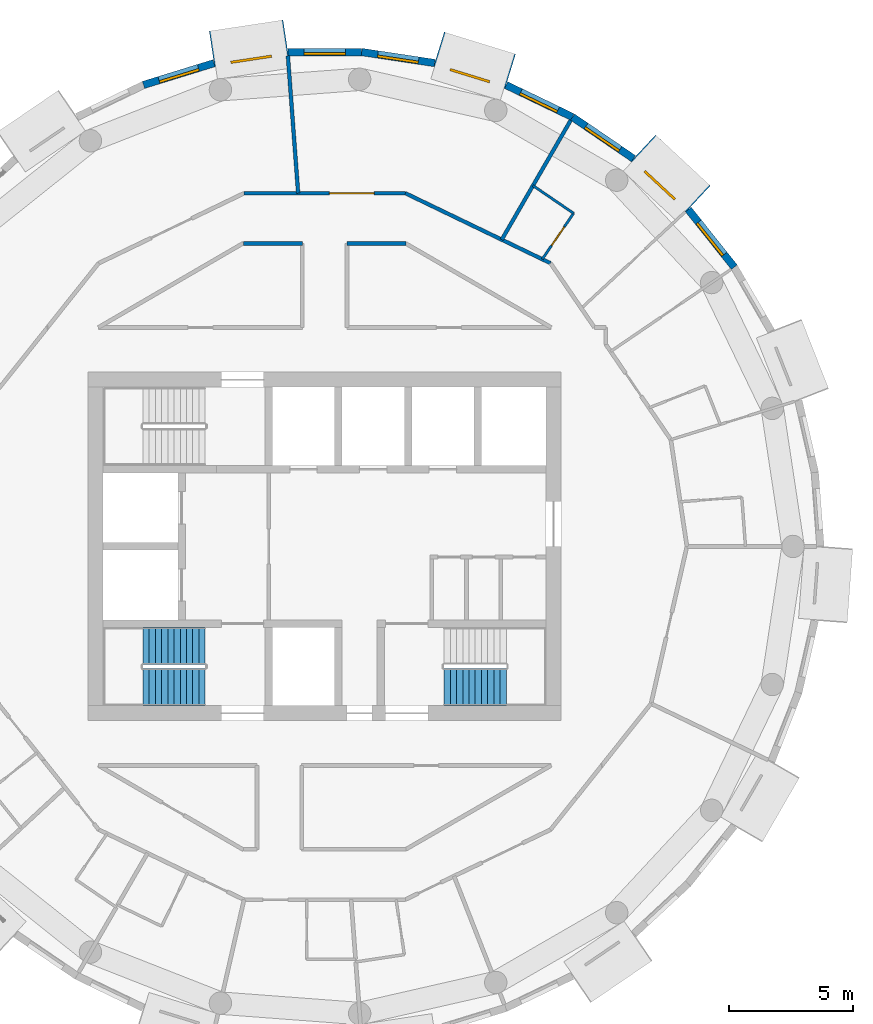
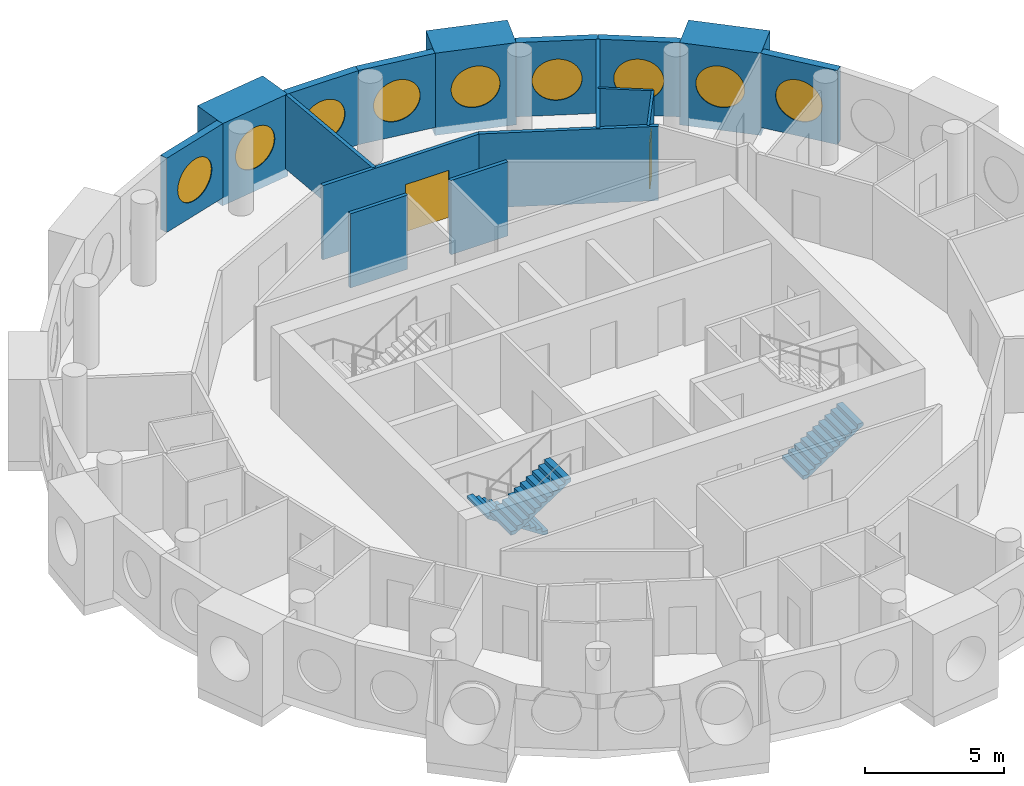
# One storey, part 10 of 12: 17 walls, 9 windows, 3 stair flights, 2 doors, 11 openings, 2 elements without a shape of their own.
"""IFC4 building model written with IfcOpenShell, lengths in metres."""

from ifc_helpers import new_model, si_unit, direction, frame, frame_2d, origin, origin_2d, place, context, subcontext, project, spatial, polyline, rectangle, circle, outline, extrude, material, layer, layer_set, type_object, element, fill, aggregate, save


model = new_model("IFC4")

# Units and contexts
model_context = context("Model", 3, precision=1e-05, world=origin(), true_north=direction((0.0, 1.0)))
body_context = subcontext(model_context, "Body", "Model", "MODEL_VIEW")
ifc_project = project(units=[si_unit("LENGTHUNIT", "METRE"), si_unit("AREAUNIT", "SQUARE_METRE"), si_unit("VOLUMEUNIT", "CUBIC_METRE"), si_unit("PLANEANGLEUNIT", "RADIAN"), si_unit("MASSUNIT", "GRAM", prefix="KILO")], contexts=[model_context])

# Site, building, storey
site_placement = place(None, origin())
site = spatial("IfcSite", under=ifc_project, at=site_placement, CompositionType="ELEMENT")
building_placement = place(site_placement, origin())
building = spatial("IfcBuilding", under=site, at=building_placement, Name="Tracery Tower", CompositionType="ELEMENT")
storey_placement = place(building_placement, frame((0.0, 0.0, 291.0)))
storey = spatial("IfcBuildingStorey", under=building, at=storey_placement, Name="L75", CompositionType="ELEMENT", Elevation=291.0)

# Wall, opening, window
ifc_material_1 = material(Name="Precast concrete C50/60", Category="concrete")
ifc_layer_1 = layer(ifc_material_1, 1.449951171875)
ifc_layer_set_1 = layer_set([ifc_layer_1], Name="Deep-set bay unit 3000 x 3600, slab edge 350")
wall_type_1 = type_object("IfcWallType", Name="Deep-set bay unit 3000 x 3600, slab edge 350", PredefinedType="ELEMENTEDWALL", material=ifc_layer_set_1)
wall_1_placement = place(storey_placement, frame((15.0029296875, 13.964111328125, -0.35009765625), z_axis=(0.0, 0.0, 1.0), x_axis=(-0.733022439167, 0.680204457261, 0.0)))
wall_1 = element("IfcWall", 1, at=wall_1_placement, inside=storey, type_object=wall_type_1, Name="Deep-set bay unit 6 at L75", PredefinedType="ELEMENTEDWALL", context=body_context, shape_type="SweptSolid", body=[
    extrude(rectangle(XDim=2.999755859375, YDim=1.449951171875, at=frame_2d((1.5, 0.0))), origin(), (0.0, 0.0, 1.0), 3.60009765625),
])
opening_1_placement = place(wall_1_placement, frame((1.5, 0.0, 1.89990234375)))
opening_1 = element("IfcOpeningElement", 2, at=opening_1_placement, cuts=wall_1, Name="Opening WN1", PredefinedType="OPENING", context=body_context, shape_type="SweptSolid", body=[
    extrude(circle(Radius=0.9000244140625, at=origin_2d()), frame((0.0, 0.73486328125, 0.0), z_axis=(0.0, -1.0, 0.0), x_axis=(1.0, 0.0, 0.0)), (0.0, 0.0, 1.0), 1.469970703125),
])
ifc_material_2 = material(Name="Aluminium frame with tinted double glazing", Category="aluminium")
window_type = type_object("IfcWindowType", Name="Round window 1800", PartitioningType="SINGLE_PANEL", PredefinedType="WINDOW", material=ifc_material_2)
window_1_placement = place(opening_1_placement, origin())
window_1 = element("IfcWindow", 3, at=window_1_placement, inside=storey, type_object=window_type, Name="Round window 6 at L75", OverallHeight=1.800048828125, OverallWidth=1.800048828125, PartitioningType="SINGLE_PANEL", PredefinedType="WINDOW", context=body_context, shape_type="SweptSolid", body=[
    extrude(circle(Radius=0.9000244140625, at=origin_2d()), frame((0.0, 0.69482421875, 0.0), z_axis=(0.0, -1.0, 0.0), x_axis=(1.0, 0.0, 0.0)), (0.0, 0.0, 1.0), 0.10009765625),
])
fill(opening_1, window_1)

wall_2_placement = place(storey_placement, frame((7.45849609375, 19.0908203125, -0.35009765625), z_axis=(0.0, 0.0, 1.0), x_axis=(-0.955571139978, 0.294760574774, 0.0)))
wall_2 = element("IfcWall", 4, at=wall_2_placement, inside=storey, type_object=wall_type_1, Name="Deep-set bay unit 9 at L75", PredefinedType="ELEMENTEDWALL", context=body_context, shape_type="SweptSolid", body=[
    extrude(rectangle(XDim=3.0, YDim=1.449951171875, at=frame_2d((1.5, 0.0))), origin(), (0.0, 0.0, 1.0), 3.60009765625),
])
opening_2_placement = place(wall_2_placement, frame((1.5, 0.0, 1.89990234375)))
opening_2 = element("IfcOpeningElement", 5, at=opening_2_placement, cuts=wall_2, Name="Opening WN1", PredefinedType="OPENING", context=body_context, shape_type="SweptSolid", body=[
    extrude(circle(Radius=0.9000244140625, at=origin_2d()), frame((0.0, 0.73486328125, 0.0), z_axis=(0.0, -1.0, 0.0), x_axis=(1.0, 0.0, 0.0)), (0.0, 0.0, 1.0), 1.469970703125),
])
window_2_placement = place(opening_2_placement, origin())
window_2 = element("IfcWindow", 6, at=window_2_placement, inside=storey, type_object=window_type, Name="Round window 9 at L75", OverallHeight=1.800048828125, OverallWidth=1.800048828125, PartitioningType="SINGLE_PANEL", PredefinedType="WINDOW", context=body_context, shape_type="SweptSolid", body=[
    extrude(circle(Radius=0.9000244140625, at=origin_2d()), frame((0.0, 0.69482421875, 0.0), z_axis=(0.0, -1.0, 0.0), x_axis=(1.0, 0.0, 0.0)), (0.0, 0.0, 1.0), 0.10009765625),
])
fill(opening_2, window_2)

wall_3_placement = place(storey_placement, frame((-1.563232421875, 20.436279296875, -0.35009765625), z_axis=(0.0, 0.0, 1.0), x_axis=(-0.988836445254, -0.149004981587, 0.0)))
wall_3 = element("IfcWall", 7, at=wall_3_placement, inside=storey, type_object=wall_type_1, Name="Deep-set bay unit 12 at L75", PredefinedType="ELEMENTEDWALL", context=body_context, shape_type="SweptSolid", body=[
    extrude(rectangle(XDim=3.0, YDim=1.449951171875, at=frame_2d((1.5, 0.0))), origin(), (0.0, 0.0, 1.0), 3.60009765625),
])
opening_3_placement = place(wall_3_placement, frame((1.5, 0.0, 1.89990234375)))
opening_3 = element("IfcOpeningElement", 8, at=opening_3_placement, cuts=wall_3, Name="Opening WN1", PredefinedType="OPENING", context=body_context, shape_type="SweptSolid", body=[
    extrude(circle(Radius=0.9000244140625, at=origin_2d()), frame((0.0, 0.73486328125, 0.0), z_axis=(0.0, -1.0, 0.0), x_axis=(1.0, 0.0, 0.0)), (0.0, 0.0, 1.0), 1.469970703125),
])
window_3_placement = place(opening_3_placement, origin())
window_3 = element("IfcWindow", 9, at=window_3_placement, inside=storey, type_object=window_type, Name="Round window 12 at L75", OverallHeight=1.800048828125, OverallWidth=1.800048828125, PartitioningType="SINGLE_PANEL", PredefinedType="WINDOW", context=body_context, shape_type="SweptSolid", body=[
    extrude(circle(Radius=0.9000244140625, at=origin_2d()), frame((0.0, 0.69482421875, 0.0), z_axis=(0.0, -1.0, 0.0), x_axis=(1.0, 0.0, 0.0)), (0.0, 0.0, 1.0), 0.10009765625),
])
fill(opening_3, window_3)

ifc_material_3 = material(Name="Precast concrete C50/60", Category="concrete")
ifc_layer_2 = layer(ifc_material_3, 0.300048828125)
ifc_layer_set_2 = layer_set([ifc_layer_2], Name="Facade panel 3000 x 3250")
wall_type_2 = type_object("IfcWallType", Name="Facade panel 3000 x 3250", PredefinedType="SOLIDWALL", material=ifc_layer_set_2)
wall_4_placement = place(storey_placement, frame((16.460205078125, 11.222412109375, 0.0), z_axis=(0.0, 0.0, 1.0), x_axis=(-0.623498236992, 0.781824755599, 0.0)))
wall_4 = element("IfcWall", 10, at=wall_4_placement, inside=storey, type_object=wall_type_2, Name="Facade panel 5 at L75", PredefinedType="SOLIDWALL", context=body_context, shape_type="SweptSolid", body=[
    extrude(rectangle(XDim=2.962158203125, YDim=0.300048828125, at=frame_2d((1.48095703125, 0.0))), origin(), (0.0, 0.0, 1.0), 3.25),
])
opening_4_placement = place(wall_4_placement, frame((1.48095703125, 0.0, 1.5498046875)))
opening_4 = element("IfcOpeningElement", 11, at=opening_4_placement, cuts=wall_4, Name="Opening WN1", PredefinedType="OPENING", context=body_context, shape_type="SweptSolid", body=[
    extrude(circle(Radius=0.9000244140625, at=origin_2d()), frame((0.0, 0.159912109375, 0.0), z_axis=(0.0, -1.0, 0.0), x_axis=(1.0, 0.0, 0.0)), (0.0, 0.0, 1.0), 0.320068359375),
])
window_4_placement = place(opening_4_placement, origin())
window_4 = element("IfcWindow", 12, at=window_4_placement, inside=storey, type_object=window_type, Name="Round window 5 at L75", OverallHeight=1.800048828125, OverallWidth=1.800048828125, PartitioningType="SINGLE_PANEL", PredefinedType="WINDOW", context=body_context, shape_type="SweptSolid", body=[
    extrude(circle(Radius=0.9000244140625, at=origin_2d()), frame((0.0, 0.1201171875, 0.0), z_axis=(0.0, -1.0, 0.0), x_axis=(1.0, 0.0, 0.0)), (0.0, 0.0, 1.0), 0.10009765625),
])
fill(opening_4, window_4)

wall_5_placement = place(storey_placement, frame((12.408447265625, 15.583984375, 0.0), z_axis=(0.0, 0.0, 1.0), x_axis=(-0.826236061068, 0.563324037646, 0.0)))
wall_5 = element("IfcWall", 13, at=wall_5_placement, inside=storey, type_object=wall_type_2, Name="Facade panel 7 at L75", PredefinedType="SOLIDWALL", context=body_context, shape_type="SweptSolid", body=[
    extrude(rectangle(XDim=2.962158203125, YDim=0.300048828125, at=frame_2d((1.48095703125, 0.0))), origin(), (0.0, 0.0, 1.0), 3.25),
])
opening_5_placement = place(wall_5_placement, frame((1.48095703125, 0.0, 1.5498046875)))
opening_5 = element("IfcOpeningElement", 14, at=opening_5_placement, cuts=wall_5, Name="Opening WN1", PredefinedType="OPENING", context=body_context, shape_type="SweptSolid", body=[
    extrude(circle(Radius=0.9000244140625, at=origin_2d()), frame((0.0, 0.159912109375, 0.0), z_axis=(0.0, -1.0, 0.0), x_axis=(1.0, 0.0, 0.0)), (0.0, 0.0, 1.0), 0.320068359375),
])
window_5_placement = place(opening_5_placement, origin())
window_5 = element("IfcWindow", 15, at=window_5_placement, inside=storey, type_object=window_type, Name="Round window 7 at L75", OverallHeight=1.800048828125, OverallWidth=1.800048828125, PartitioningType="SINGLE_PANEL", PredefinedType="WINDOW", context=body_context, shape_type="SweptSolid", body=[
    extrude(circle(Radius=0.9000244140625, at=origin_2d()), frame((0.0, 0.1201171875, 0.0), z_axis=(0.0, -1.0, 0.0), x_axis=(1.0, 0.0, 0.0)), (0.0, 0.0, 1.0), 0.10009765625),
])
fill(opening_5, window_5)

wall_6_placement = place(storey_placement, frame((9.9609375, 17.252685546875, 0.0), z_axis=(0.0, 0.0, 1.0), x_axis=(-0.90095513435, 0.433912255978, 0.0)))
wall_6 = element("IfcWall", 16, at=wall_6_placement, inside=storey, type_object=wall_type_2, Name="Facade panel 8 at L75", PredefinedType="SOLIDWALL", context=body_context, shape_type="SweptSolid", body=[
    extrude(rectangle(XDim=2.96240234375, YDim=0.300048828125, at=frame_2d((1.481201171875, 0.0))), origin(), (0.0, 0.0, 1.0), 3.25),
])
opening_6_placement = place(wall_6_placement, frame((1.48095703125, 0.0, 1.5498046875)))
opening_6 = element("IfcOpeningElement", 17, at=opening_6_placement, cuts=wall_6, Name="Opening WN1", PredefinedType="OPENING", context=body_context, shape_type="SweptSolid", body=[
    extrude(circle(Radius=0.9000244140625, at=origin_2d()), frame((0.0, 0.159912109375, 0.0), z_axis=(0.0, -1.0, 0.0), x_axis=(1.0, 0.0, 0.0)), (0.0, 0.0, 1.0), 0.320068359375),
])
window_6_placement = place(opening_6_placement, origin())
window_6 = element("IfcWindow", 18, at=window_6_placement, inside=storey, type_object=window_type, Name="Round window 8 at L75", OverallHeight=1.800048828125, OverallWidth=1.800048828125, PartitioningType="SINGLE_PANEL", PredefinedType="WINDOW", context=body_context, shape_type="SweptSolid", body=[
    extrude(circle(Radius=0.9000244140625, at=origin_2d()), frame((0.0, 0.1201171875, 0.0), z_axis=(0.0, -1.0, 0.0), x_axis=(1.0, 0.0, 0.0)), (0.0, 0.0, 1.0), 0.10009765625),
])
fill(opening_6, window_6)

wall_7_placement = place(storey_placement, frame((4.41796875, 19.424560546875, 0.0), z_axis=(0.0, 0.0, 1.0), x_axis=(-0.988835775663, 0.149009425104, 0.0)))
wall_7 = element("IfcWall", 19, at=wall_7_placement, inside=storey, type_object=wall_type_2, Name="Facade panel 10 at L75", PredefinedType="SOLIDWALL", context=body_context, shape_type="SweptSolid", body=[
    extrude(rectangle(XDim=2.962158203125, YDim=0.300048828125, at=frame_2d((1.48095703125, 0.0))), origin(), (0.0, 0.0, 1.0), 3.25),
])
opening_7_placement = place(wall_7_placement, frame((1.48095703125, 0.0, 1.5498046875)))
opening_7 = element("IfcOpeningElement", 20, at=opening_7_placement, cuts=wall_7, Name="Opening WN1", PredefinedType="OPENING", context=body_context, shape_type="SweptSolid", body=[
    extrude(circle(Radius=0.9000244140625, at=origin_2d()), frame((0.0, 0.159912109375, 0.0), z_axis=(0.0, -1.0, 0.0), x_axis=(1.0, 0.0, 0.0)), (0.0, 0.0, 1.0), 0.320068359375),
])
window_7_placement = place(opening_7_placement, origin())
window_7 = element("IfcWindow", 21, at=window_7_placement, inside=storey, type_object=window_type, Name="Round window 10 at L75", OverallHeight=1.800048828125, OverallWidth=1.800048828125, PartitioningType="SINGLE_PANEL", PredefinedType="WINDOW", context=body_context, shape_type="SweptSolid", body=[
    extrude(circle(Radius=0.9000244140625, at=origin_2d()), frame((0.0, 0.1201171875, 0.0), z_axis=(0.0, -1.0, 0.0), x_axis=(1.0, 0.0, 0.0)), (0.0, 0.0, 1.0), 0.10009765625),
])
fill(opening_7, window_7)

wall_8_placement = place(storey_placement, frame((1.48876953125, 19.865966796875, 0.0), z_axis=(0.0, 0.0, 1.0), x_axis=(-1.0, 0.0, 0.0)))
wall_8 = element("IfcWall", 22, at=wall_8_placement, inside=storey, type_object=wall_type_2, Name="Facade panel 11 at L75", PredefinedType="SOLIDWALL", context=body_context, shape_type="SweptSolid", body=[
    extrude(rectangle(XDim=2.962158203125, YDim=0.300048828125, at=frame_2d((1.48095703125, 0.0))), origin(), (0.0, 0.0, 1.0), 3.25),
])
opening_8_placement = place(wall_8_placement, frame((1.48095703125, 0.0, 1.5498046875)))
opening_8 = element("IfcOpeningElement", 23, at=opening_8_placement, cuts=wall_8, Name="Opening WN1", PredefinedType="OPENING", context=body_context, shape_type="SweptSolid", body=[
    extrude(circle(Radius=0.9000244140625, at=origin_2d()), frame((0.0, 0.159912109375, 0.0), z_axis=(0.0, -1.0, 0.0), x_axis=(1.0, 0.0, 0.0)), (0.0, 0.0, 1.0), 0.320068359375),
])
window_8_placement = place(opening_8_placement, origin())
window_8 = element("IfcWindow", 24, at=window_8_placement, inside=storey, type_object=window_type, Name="Round window 11 at L75", OverallHeight=1.800048828125, OverallWidth=1.800048828125, PartitioningType="SINGLE_PANEL", PredefinedType="WINDOW", context=body_context, shape_type="SweptSolid", body=[
    extrude(circle(Radius=0.9000244140625, at=origin_2d()), frame((0.0, 0.1201171875, 0.0), z_axis=(0.0, -1.0, 0.0), x_axis=(1.0, 0.0, 0.0)), (0.0, 0.0, 1.0), 0.10009765625),
])
fill(opening_8, window_8)

wall_9_placement = place(storey_placement, frame((-4.447509765625, 19.417724609375, 0.0), z_axis=(0.0, 0.0, 1.0), x_axis=(-0.95558635705, -0.294711238707, 0.0)))
wall_9 = element("IfcWall", 25, at=wall_9_placement, inside=storey, type_object=wall_type_2, Name="Facade panel 13 at L75", PredefinedType="SOLIDWALL", context=body_context, shape_type="SweptSolid", body=[
    extrude(rectangle(XDim=2.96240234375, YDim=0.300048828125, at=frame_2d((1.481201171875, 0.0))), origin(), (0.0, 0.0, 1.0), 3.25),
])
opening_9_placement = place(wall_9_placement, frame((1.48095703125, 0.0, 1.5498046875)))
opening_9 = element("IfcOpeningElement", 26, at=opening_9_placement, cuts=wall_9, Name="Opening WN1", PredefinedType="OPENING", context=body_context, shape_type="SweptSolid", body=[
    extrude(circle(Radius=0.9000244140625, at=origin_2d()), frame((0.0, 0.159912109375, 0.0), z_axis=(0.0, -1.0, 0.0), x_axis=(1.0, 0.0, 0.0)), (0.0, 0.0, 1.0), 0.320068359375),
])
window_9_placement = place(opening_9_placement, origin())
window_9 = element("IfcWindow", 27, at=window_9_placement, inside=storey, type_object=window_type, Name="Round window 13 at L75", OverallHeight=1.800048828125, OverallWidth=1.800048828125, PartitioningType="SINGLE_PANEL", PredefinedType="WINDOW", context=body_context, shape_type="SweptSolid", body=[
    extrude(circle(Radius=0.9000244140625, at=origin_2d()), frame((0.0, 0.1201171875, 0.0), z_axis=(0.0, -1.0, 0.0), x_axis=(1.0, 0.0, 0.0)), (0.0, 0.0, 1.0), 0.10009765625),
])
fill(opening_9, window_9)

# Wall, opening, door
ifc_material_4 = material(Name="Plasterboard on steel studs", Category="steel")
ifc_layer_3 = layer(ifc_material_4, 0.10009765625)
ifc_layer_set_3 = layer_set([ifc_layer_3], Name="Partition 100 wet wall")
wall_type_3 = type_object("IfcWallType", Name="Partition 100 wet wall", PredefinedType="PARTITIONING", material=ifc_layer_set_3)
wall_10_placement = place(storey_placement, frame((8.742919921875, 11.541015625, 0.0), z_axis=(0.0, 0.0, 1.0), x_axis=(0.563469042551, 0.826137178734, 0.0)))
wall_10 = element("IfcWall", 28, at=wall_10_placement, inside=storey, type_object=wall_type_3, Name="Wet wall RC6-055", PredefinedType="PARTITIONING", context=body_context, shape_type="SweptSolid", body=[
    extrude(rectangle(XDim=2.234375, YDim=0.10009765625, at=frame_2d((1.1171875, 0.0))), origin(), (0.0, 0.0, 1.0), 3.25),
])
opening_10_placement = place(wall_10_placement, frame((0.6669921875, 0.0, 0.0)))
opening_10 = element("IfcOpeningElement", 29, at=opening_10_placement, cuts=wall_10, Name="Opening RC6-11", PredefinedType="OPENING", context=body_context, shape_type="SweptSolid", body=[
    extrude(rectangle(XDim=0.89990234375, YDim=2.0400390625, at=frame_2d((0.449951171875, 1.02001953125))), frame((0.0, 0.050048828125, 0.0), z_axis=(0.0, -1.0, 0.0), x_axis=(1.0, 0.0, 0.0)), (0.0, 0.0, 1.0), 0.10009765625),
])
ifc_material_5 = material(Name="Timber door leaf", Category="wood")
door_type_1 = type_object("IfcDoorType", Name="Door en-suite 900", OperationType="NOTDEFINED", PredefinedType="DOOR", material=ifc_material_5)
door_1_placement = place(opening_10_placement, origin())
door_1 = element("IfcDoor", 30, at=door_1_placement, inside=storey, type_object=door_type_1, Name="En-suite door RC6-11", OperationType="SINGLE_SWING_LEFT", OverallHeight=2.0400390625, OverallWidth=0.89990234375, PredefinedType="DOOR", context=body_context, shape_type="SweptSolid", body=[
    extrude(rectangle(XDim=0.89990234375, YDim=2.0400390625, at=frame_2d((0.449951171875, 1.02001953125))), frame((0.0, 0.02490234375, 0.0), z_axis=(0.0, -1.0, 0.0), x_axis=(1.0, 0.0, 0.0)), (0.0, 0.0, 1.0), 0.050048828125),
])
fill(opening_10, door_1)

# Walls
wall_11_placement = place(storey_placement, frame((8.37109375, 14.4990234375, 0.0), z_axis=(0.0, 0.0, 1.0), x_axis=(0.82620117489, -0.563375202339, 0.0)))
element("IfcWall", 31, at=wall_11_placement, inside=storey, type_object=wall_type_3, Name="Wet wall RC6-056", PredefinedType="PARTITIONING", context=body_context, shape_type="SweptSolid", body=[
    extrude(rectangle(XDim=1.973876953125, YDim=0.10009765625, at=frame_2d((0.98681640625, 0.0))), origin(), (0.0, 0.0, 1.0), 3.25),
])
ifc_material_6 = material(Name="Plasterboard on steel studs", Category="steel")
ifc_layer_4 = layer(ifc_material_6, 0.14990234375)
ifc_layer_set_4 = layer_set([ifc_layer_4], Name="Partition 150 acoustic unit wall")
wall_type_4 = type_object("IfcWallType", Name="Partition 150 acoustic unit wall", PredefinedType="PARTITIONING", material=ifc_layer_set_4)
for number, where, z_axis, x_axis, name in (
    (32, (7.115478515625, 12.3251953125, 0.0), (0.0, 0.0, 1.0), (0.500139547481, 0.865944821017, 0.0), "Unit wall RC6-057"),
    (33, (-1.47802734375, 19.716064453125, 0.0), (0.0, 0.0, 1.0), (0.074745027699, -0.997202677912, 0.0), "Unit wall RC6-058"),
):
    element("IfcWall", number, at=place(storey_placement, frame(where, z_axis=z_axis, x_axis=x_axis)), inside=storey, type_object=wall_type_4, Name=name, PredefinedType="PARTITIONING", context=body_context, shape_type="SweptSolid", body=[
        extrude(rectangle(XDim=5.53955078125, YDim=0.14990234375, at=frame_2d((2.769775390625, 0.0))), origin(), (0.0, 0.0, 1.0), 3.25),
    ])
ifc_material_7 = material(Name="Plasterboard on steel studs", Category="steel")
ifc_layer_5 = layer(ifc_material_7, 0.14990234375)
ifc_layer_set_5 = layer_set([ifc_layer_5], Name="Partition 150 corridor wall")
wall_type_5 = type_object("IfcWallType", Name="Partition 150 corridor wall", PredefinedType="PARTITIONING", material=ifc_layer_set_5)
for number, where, z_axis, x_axis, name in (
    (34, (-3.260986328125, 12.1708984375, 0.0), (0.0, 0.0, 1.0), (1.0, 0.0, 0.0), "Corridor wall RC6-026"),
    (35, (0.89990234375, 12.1708984375, 0.0), (0.0, 0.0, 1.0), (1.0, 0.0, 0.0), "Corridor wall RC6-028"),
):
    element("IfcWall", number, at=place(storey_placement, frame(where, z_axis=z_axis, x_axis=x_axis)), inside=storey, type_object=wall_type_5, Name=name, PredefinedType="PARTITIONING", context=body_context, shape_type="SweptSolid", body=[
        extrude(rectangle(XDim=2.361083984375, YDim=0.14990234375, at=frame_2d((1.1806640625, 0.0))), origin(), (0.0, 0.0, 1.0), 3.25),
    ])
wall_12_placement = place(storey_placement, frame((3.240234375, 14.194580078125, 0.0), z_axis=(0.0, 0.0, 1.0), x_axis=(0.900778421649, -0.434278983018, 0.0)))
element("IfcWall", 36, at=wall_12_placement, inside=storey, type_object=wall_type_5, Name="Corridor wall RC6-030", PredefinedType="PARTITIONING", context=body_context, shape_type="SweptSolid", body=[
    extrude(rectangle(XDim=6.478515625, YDim=0.14990234375, at=frame_2d((3.2392578125, 0.0))), origin(), (0.0, 0.0, 1.0), 3.25),
])

# Wall, opening, door
wall_13_placement = place(storey_placement, frame((-3.239013671875, 14.19189453125, 0.0), z_axis=(0.0, 0.0, 1.0), x_axis=(1.0, 0.0, 0.0)))
wall_13 = element("IfcWall", 37, at=wall_13_placement, inside=storey, type_object=wall_type_5, Name="Corridor wall RC6-031", PredefinedType="PARTITIONING", context=body_context, shape_type="SweptSolid", body=[
    extrude(rectangle(XDim=6.47802734375, YDim=0.14990234375, at=frame_2d((3.239013671875, 0.0))), origin(), (0.0, 0.0, 1.0), 3.25),
])
opening_11_placement = place(wall_13_placement, frame((3.425048828125, 0.0, 0.0)))
opening_11 = element("IfcOpeningElement", 38, at=opening_11_placement, cuts=wall_13, Name="Opening RC6-12", PredefinedType="OPENING", context=body_context, shape_type="SweptSolid", body=[
    extrude(rectangle(XDim=1.800048828125, YDim=2.10009765625, at=frame_2d((0.89990234375, 1.050048828125))), frame((0.0, 0.074951171875, 0.0), z_axis=(0.0, -1.0, 0.0), x_axis=(1.0, 0.0, 0.0)), (0.0, 0.0, 1.0), 0.14990234375),
])
ifc_material_8 = material(Name="Timber door leaf", Category="wood")
door_type_2 = type_object("IfcDoorType", Name="Door double lounge 1800", OperationType="NOTDEFINED", PredefinedType="DOOR", material=ifc_material_8)
door_2_placement = place(opening_11_placement, origin())
door_2 = element("IfcDoor", 39, at=door_2_placement, inside=storey, type_object=door_type_2, Name="Double lounge door RC6-12", OperationType="DOUBLE_DOOR_SINGLE_SWING", OverallHeight=2.10009765625, OverallWidth=1.800048828125, PredefinedType="DOOR", context=body_context, shape_type="SweptSolid", body=[
    extrude(rectangle(XDim=1.800048828125, YDim=2.10009765625, at=frame_2d((0.89990234375, 1.050048828125))), frame((0.0, 0.02490234375, 0.0), z_axis=(0.0, -1.0, 0.0), x_axis=(1.0, 0.0, 0.0)), (0.0, 0.0, 1.0), 0.050048828125),
])
fill(opening_11, door_2)

# Stair, stair flights
ifc_material_9 = material(Name="Concrete C32/40", Category="concrete")
stair_type = type_object("IfcStairType", Name="Core stair 22 risers", PredefinedType="HALF_TURN_STAIR", material=ifc_material_9)
stair_1_placement = place(storey_placement, origin())
stair_1 = element("IfcStair", 40, at=stair_1_placement, inside=storey, type_object=stair_type, Name="L75 stair ST1", PredefinedType="HALF_TURN_STAIR")
ifc_material_10 = material(Name="Concrete C32/40", Category="concrete")
stair_flight_type = type_object("IfcStairFlightType", Name="Core stair flight 11 risers", PredefinedType="STRAIGHT", material=ifc_material_10)
stair_flight_1_placement = place(storey_placement, frame((-4.800048828125, -4.0, 0.0), z_axis=(0.0, 0.0, 1.0), x_axis=(-1.0, 0.0, 0.0)))
stair_flight_1 = element("IfcStairFlight", 41, at=stair_flight_1_placement, type_object=stair_flight_type, Name="ST1 flight 1", NumberOfRisers=11, NumberOfTreads=10, PredefinedType="STRAIGHT", RiserHeight=0.163636364, TreadLength=0.25, context=body_context, shape_type="SweptSolid", body=[
    extrude(outline(polyline([(0.0, 0.0), (0.0, 0.002685546875), (0.0, 0.00537109375), (0.0, 0.008056640625), (0.0, 0.0107421875), (0.0, 0.013427734375), (0.0, 0.01611328125), (0.0, 0.018798828125), (0.0, 0.021484375), (0.0, 0.024169921875), (0.0, 0.02685546875), (0.0, 0.029541015625), (0.0, 0.0322265625), (0.0, 0.034912109375), (0.0, 0.03759765625), (0.0, 0.040283203125), (0.0, 0.04296875), (0.0, 0.045654296875), (0.0, 0.04833984375), (0.0, 0.051025390625), (0.0, 0.0537109375), (0.0, 0.056396484375), (0.0, 0.05908203125), (0.0, 0.061767578125), (0.0, 0.064453125), (0.0, 0.067138671875), (0.0, 0.06982421875), (0.0, 0.072509765625), (0.0, 0.0751953125), (0.0, 0.077880859375), (0.0, 0.08056640625), (0.0, 0.083251953125), (0.0, 0.0859375), (0.0, 0.088623046875), (0.0, 0.09130859375), (0.0, 0.093994140625), (0.0, 0.0966796875), (0.0, 0.099365234375), (0.0, 0.10205078125), (0.0, 0.104736328125), (0.0, 0.107421875), (0.0, 0.10986328125), (0.0, 0.112548828125), (0.0, 0.115234375), (0.0, 0.117919921875), (0.0, 0.12060546875), (0.0, 0.123291015625), (0.0, 0.1259765625), (0.0, 0.128662109375), (0.0, 0.13134765625), (0.0, 0.134033203125), (0.0, 0.13671875), (0.0, 0.139404296875), (0.0, 0.14208984375), (0.0, 0.144775390625), (0.0, 0.1474609375), (0.0, 0.150146484375), (0.0, 0.15283203125), (0.0, 0.155517578125), (0.0, 0.158203125), (0.0, 0.160888671875), (0.0, 0.16357421875), (0.25, 0.16357421875), (0.25, 0.327392578125), (0.5, 0.327392578125), (0.5, 0.490966796875), (0.75, 0.490966796875), (0.75, 0.654541015625), (1.0, 0.654541015625), (1.0, 0.818115234375), (1.25, 0.818115234375), (1.25, 0.98193359375), (1.5, 0.98193359375), (1.5, 1.1455078125), (1.75, 1.1455078125), (1.75, 1.30908203125), (2.0, 1.30908203125), (2.0, 1.47265625), (2.25, 1.47265625), (2.25, 1.636474609375), (2.5, 1.636474609375), (2.5, 1.634521484375), (2.5, 1.63232421875), (2.5, 1.63037109375), (2.5, 1.62841796875), (2.5, 1.62646484375), (2.5, 1.62451171875), (2.5, 1.62255859375), (2.5, 1.62060546875), (2.5, 1.61865234375), (2.5, 1.61669921875), (2.5, 1.61474609375), (2.5, 1.61279296875), (2.5, 1.61083984375), (2.5, 1.60888671875), (2.5, 1.60693359375), (2.5, 1.60498046875), (2.5, 1.60302734375), (2.5, 1.60107421875), (2.5, 1.59912109375), (2.5, 1.59716796875), (2.5, 1.59521484375), (2.5, 1.59326171875), (2.5, 1.59130859375), (2.5, 1.58935546875), (2.5, 1.58740234375), (2.5, 1.58544921875), (2.5, 1.58349609375), (2.5, 1.58154296875), (2.5, 1.57958984375), (2.5, 1.57763671875), (2.5, 1.57568359375), (2.5, 1.573486328125), (2.5, 1.571533203125), (2.5, 1.569580078125), (2.5, 1.567626953125), (2.5, 1.565673828125), (2.5, 1.563720703125), (2.5, 1.561767578125), (2.5, 1.559814453125), (2.5, 1.557861328125), (2.5, 1.555908203125), (2.5, 1.553955078125), (2.5, 1.552001953125), (2.5, 1.550048828125), (2.5, 1.548095703125), (2.5, 1.546142578125), (2.5, 1.544189453125), (2.5, 1.542236328125), (2.5, 1.540283203125), (2.5, 1.538330078125), (2.5, 1.536376953125), (2.5, 1.534423828125), (2.5, 1.532470703125), (2.5, 1.530517578125), (2.5, 1.528564453125), (2.5, 1.526611328125), (2.5, 1.524658203125), (2.5, 1.522705078125), (2.5, 1.520751953125), (2.5, 1.518798828125), (2.5, 1.516845703125), (0.182861328125, 0.0), (0.0, 0.0)])), frame((0.0, 0.75, 0.0), z_axis=(0.0, -1.0, 0.0), x_axis=(1.0, 0.0, 0.0)), (0.0, 0.0, 1.0), 1.5),
])
stair_flight_2_placement = place(storey_placement, frame((-7.300048828125, -5.64990234375, 1.800048828125), z_axis=(0.0, 0.0, 1.0), x_axis=(1.0, 0.0, 0.0)))
stair_flight_2 = element("IfcStairFlight", 42, at=stair_flight_2_placement, type_object=stair_flight_type, Name="ST1 flight 2", NumberOfRisers=11, NumberOfTreads=10, PredefinedType="STRAIGHT", RiserHeight=0.163636364, TreadLength=0.25, context=body_context, shape_type="SweptSolid", body=[
    extrude(outline(polyline([(0.0, 0.0), (0.0, 0.002685546875), (0.0, 0.00537109375), (0.0, 0.008056640625), (0.0, 0.0107421875), (0.0, 0.013427734375), (0.0, 0.01611328125), (0.0, 0.018798828125), (0.0, 0.021484375), (0.0, 0.024169921875), (0.0, 0.02685546875), (0.0, 0.029541015625), (0.0, 0.0322265625), (0.0, 0.034912109375), (0.0, 0.03759765625), (0.0, 0.040283203125), (0.0, 0.04296875), (0.0, 0.045654296875), (0.0, 0.04833984375), (0.0, 0.051025390625), (0.0, 0.0537109375), (0.0, 0.056396484375), (0.0, 0.05908203125), (0.0, 0.061767578125), (0.0, 0.064453125), (0.0, 0.067138671875), (0.0, 0.06982421875), (0.0, 0.072509765625), (0.0, 0.0751953125), (0.0, 0.077880859375), (0.0, 0.08056640625), (0.0, 0.083251953125), (0.0, 0.0859375), (0.0, 0.088623046875), (0.0, 0.09130859375), (0.0, 0.093994140625), (0.0, 0.0966796875), (0.0, 0.099365234375), (0.0, 0.10205078125), (0.0, 0.104736328125), (0.0, 0.107421875), (0.0, 0.10986328125), (0.0, 0.112548828125), (0.0, 0.115234375), (0.0, 0.117919921875), (0.0, 0.12060546875), (0.0, 0.123291015625), (0.0, 0.1259765625), (0.0, 0.128662109375), (0.0, 0.13134765625), (0.0, 0.134033203125), (0.0, 0.13671875), (0.0, 0.139404296875), (0.0, 0.14208984375), (0.0, 0.144775390625), (0.0, 0.1474609375), (0.0, 0.150146484375), (0.0, 0.15283203125), (0.0, 0.155517578125), (0.0, 0.158203125), (0.0, 0.160888671875), (0.0, 0.16357421875), (0.25, 0.16357421875), (0.25, 0.327392578125), (0.5, 0.327392578125), (0.5, 0.490966796875), (0.75, 0.490966796875), (0.75, 0.654541015625), (1.0, 0.654541015625), (1.0, 0.818115234375), (1.25, 0.818115234375), (1.25, 0.98193359375), (1.5, 0.98193359375), (1.5, 1.1455078125), (1.75, 1.1455078125), (1.75, 1.30908203125), (2.0, 1.30908203125), (2.0, 1.47265625), (2.25, 1.47265625), (2.25, 1.636474609375), (2.5, 1.636474609375), (2.5, 1.634521484375), (2.5, 1.63232421875), (2.5, 1.63037109375), (2.5, 1.62841796875), (2.5, 1.62646484375), (2.5, 1.62451171875), (2.5, 1.62255859375), (2.5, 1.62060546875), (2.5, 1.61865234375), (2.5, 1.61669921875), (2.5, 1.61474609375), (2.5, 1.61279296875), (2.5, 1.61083984375), (2.5, 1.60888671875), (2.5, 1.60693359375), (2.5, 1.60498046875), (2.5, 1.60302734375), (2.5, 1.60107421875), (2.5, 1.59912109375), (2.5, 1.59716796875), (2.5, 1.59521484375), (2.5, 1.59326171875), (2.5, 1.59130859375), (2.5, 1.58935546875), (2.5, 1.58740234375), (2.5, 1.58544921875), (2.5, 1.58349609375), (2.5, 1.58154296875), (2.5, 1.57958984375), (2.5, 1.57763671875), (2.5, 1.57568359375), (2.5, 1.573486328125), (2.5, 1.571533203125), (2.5, 1.569580078125), (2.5, 1.567626953125), (2.5, 1.565673828125), (2.5, 1.563720703125), (2.5, 1.561767578125), (2.5, 1.559814453125), (2.5, 1.557861328125), (2.5, 1.555908203125), (2.5, 1.553955078125), (2.5, 1.552001953125), (2.5, 1.550048828125), (2.5, 1.548095703125), (2.5, 1.546142578125), (2.5, 1.544189453125), (2.5, 1.542236328125), (2.5, 1.540283203125), (2.5, 1.538330078125), (2.5, 1.536376953125), (2.5, 1.534423828125), (2.5, 1.532470703125), (2.5, 1.530517578125), (2.5, 1.528564453125), (2.5, 1.526611328125), (2.5, 1.524658203125), (2.5, 1.522705078125), (2.5, 1.520751953125), (2.5, 1.518798828125), (2.5, 1.516845703125), (0.182861328125, 0.0), (0.0, 0.0)])), frame((0.0, 0.75, 0.0), z_axis=(0.0, -1.0, 0.0), x_axis=(1.0, 0.0, 0.0)), (0.0, 0.0, 1.0), 1.5),
])
aggregate(stair_1, [stair_flight_1, stair_flight_2])

# Stair, stair flight
stair_2_placement = place(storey_placement, origin())
stair_2 = element("IfcStair", 43, at=stair_2_placement, inside=storey, type_object=stair_type, Name="L75 stair ST2", PredefinedType="HALF_TURN_STAIR")
stair_flight_3_placement = place(storey_placement, frame((4.800048828125, -5.64990234375, 0.0), z_axis=(0.0, 0.0, 1.0), x_axis=(1.0, 0.0, 0.0)))
stair_flight_3 = element("IfcStairFlight", 44, at=stair_flight_3_placement, type_object=stair_flight_type, Name="ST2 flight 1", NumberOfRisers=11, NumberOfTreads=10, PredefinedType="STRAIGHT", RiserHeight=0.163636364, TreadLength=0.25, context=body_context, shape_type="SweptSolid", body=[
    extrude(outline(polyline([(0.0, 0.0), (0.0, 0.002685546875), (0.0, 0.00537109375), (0.0, 0.008056640625), (0.0, 0.0107421875), (0.0, 0.013427734375), (0.0, 0.01611328125), (0.0, 0.018798828125), (0.0, 0.021484375), (0.0, 0.024169921875), (0.0, 0.02685546875), (0.0, 0.029541015625), (0.0, 0.0322265625), (0.0, 0.034912109375), (0.0, 0.03759765625), (0.0, 0.040283203125), (0.0, 0.04296875), (0.0, 0.045654296875), (0.0, 0.04833984375), (0.0, 0.051025390625), (0.0, 0.0537109375), (0.0, 0.056396484375), (0.0, 0.05908203125), (0.0, 0.061767578125), (0.0, 0.064453125), (0.0, 0.067138671875), (0.0, 0.06982421875), (0.0, 0.072509765625), (0.0, 0.0751953125), (0.0, 0.077880859375), (0.0, 0.08056640625), (0.0, 0.083251953125), (0.0, 0.0859375), (0.0, 0.088623046875), (0.0, 0.09130859375), (0.0, 0.093994140625), (0.0, 0.0966796875), (0.0, 0.099365234375), (0.0, 0.10205078125), (0.0, 0.104736328125), (0.0, 0.107421875), (0.0, 0.10986328125), (0.0, 0.112548828125), (0.0, 0.115234375), (0.0, 0.117919921875), (0.0, 0.12060546875), (0.0, 0.123291015625), (0.0, 0.1259765625), (0.0, 0.128662109375), (0.0, 0.13134765625), (0.0, 0.134033203125), (0.0, 0.13671875), (0.0, 0.139404296875), (0.0, 0.14208984375), (0.0, 0.144775390625), (0.0, 0.1474609375), (0.0, 0.150146484375), (0.0, 0.15283203125), (0.0, 0.155517578125), (0.0, 0.158203125), (0.0, 0.160888671875), (0.0, 0.16357421875), (0.25, 0.16357421875), (0.25, 0.327392578125), (0.5, 0.327392578125), (0.5, 0.490966796875), (0.75, 0.490966796875), (0.75, 0.654541015625), (1.0, 0.654541015625), (1.0, 0.818115234375), (1.25, 0.818115234375), (1.25, 0.98193359375), (1.5, 0.98193359375), (1.5, 1.1455078125), (1.75, 1.1455078125), (1.75, 1.30908203125), (2.0, 1.30908203125), (2.0, 1.47265625), (2.25, 1.47265625), (2.25, 1.636474609375), (2.5, 1.636474609375), (2.5, 1.634521484375), (2.5, 1.63232421875), (2.5, 1.63037109375), (2.5, 1.62841796875), (2.5, 1.62646484375), (2.5, 1.62451171875), (2.5, 1.62255859375), (2.5, 1.62060546875), (2.5, 1.61865234375), (2.5, 1.61669921875), (2.5, 1.61474609375), (2.5, 1.61279296875), (2.5, 1.61083984375), (2.5, 1.60888671875), (2.5, 1.60693359375), (2.5, 1.60498046875), (2.5, 1.60302734375), (2.5, 1.60107421875), (2.5, 1.59912109375), (2.5, 1.59716796875), (2.5, 1.59521484375), (2.5, 1.59326171875), (2.5, 1.59130859375), (2.5, 1.58935546875), (2.5, 1.58740234375), (2.5, 1.58544921875), (2.5, 1.58349609375), (2.5, 1.58154296875), (2.5, 1.57958984375), (2.5, 1.57763671875), (2.5, 1.57568359375), (2.5, 1.573486328125), (2.5, 1.571533203125), (2.5, 1.569580078125), (2.5, 1.567626953125), (2.5, 1.565673828125), (2.5, 1.563720703125), (2.5, 1.561767578125), (2.5, 1.559814453125), (2.5, 1.557861328125), (2.5, 1.555908203125), (2.5, 1.553955078125), (2.5, 1.552001953125), (2.5, 1.550048828125), (2.5, 1.548095703125), (2.5, 1.546142578125), (2.5, 1.544189453125), (2.5, 1.542236328125), (2.5, 1.540283203125), (2.5, 1.538330078125), (2.5, 1.536376953125), (2.5, 1.534423828125), (2.5, 1.532470703125), (2.5, 1.530517578125), (2.5, 1.528564453125), (2.5, 1.526611328125), (2.5, 1.524658203125), (2.5, 1.522705078125), (2.5, 1.520751953125), (2.5, 1.518798828125), (2.5, 1.516845703125), (0.182861328125, 0.0), (0.0, 0.0)])), frame((0.0, 0.75, 0.0), z_axis=(0.0, -1.0, 0.0), x_axis=(1.0, 0.0, 0.0)), (0.0, 0.0, 1.0), 1.5),
])
aggregate(stair_2, [stair_flight_3])

save(model, "model.ifc")
